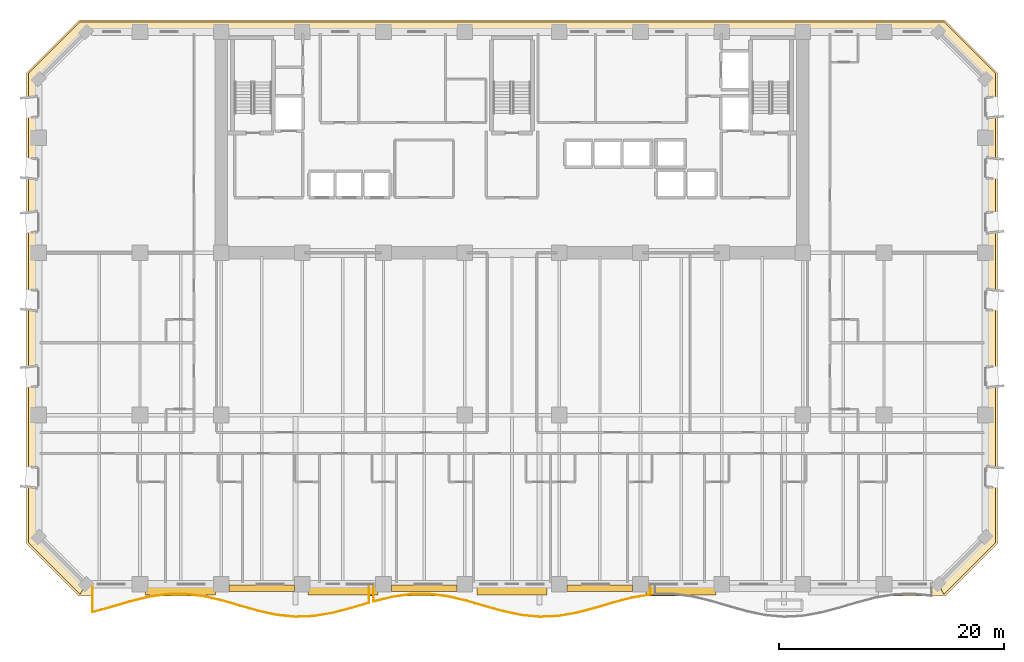
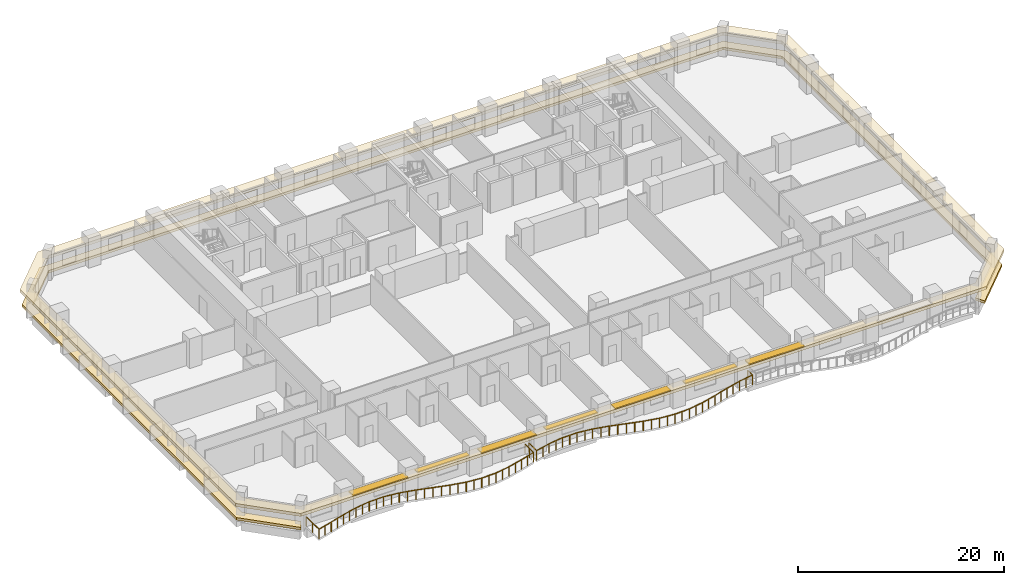
# One storey, part 12 of 15: 7 shading devices, 2 coverings, 2 railings.
"""IFC4 building model written with IfcOpenShell, lengths in metres."""

from ifc_helpers import new_model, si_unit, direction, frame, origin, origin_2d, place, context, subcontext, project, spatial, polyline, rectangle, outline, extrude, material, layer, layer_set, type_object, element, save


model = new_model("IFC4")

# Units and contexts
model_context = context("Model", 3, precision=1e-05, world=origin(), true_north=direction((0.0, 1.0)))
body_context = subcontext(model_context, "Body", "Model", "MODEL_VIEW")
ifc_project = project(units=[si_unit("LENGTHUNIT", "METRE"), si_unit("AREAUNIT", "SQUARE_METRE"), si_unit("VOLUMEUNIT", "CUBIC_METRE"), si_unit("PLANEANGLEUNIT", "RADIAN"), si_unit("MASSUNIT", "GRAM", prefix="KILO")], contexts=[model_context])

# Site, building, storey
site_placement = place(None, origin())
site = spatial("IfcSite", under=ifc_project, at=site_placement, CompositionType="ELEMENT")
building_placement = place(site_placement, origin())
building = spatial("IfcBuilding", under=site, at=building_placement, Name="Kaelvorn Grand Hotel", CompositionType="ELEMENT")
storey_placement = place(building_placement, frame((0.0, 0.0, 53.89990234375)))
storey = spatial("IfcBuildingStorey", under=building, at=storey_placement, Name="L11", CompositionType="ELEMENT", Elevation=53.89990234375)

# Coverings
ifc_material_1 = material(Name="Precast concrete C45/55", Category="concrete")
ifc_layer_1 = layer(ifc_material_1, 0.260009765625)
ifc_layer_set_1 = layer_set([ifc_layer_1], Name="Precast concrete C45/55")
covering_type_1 = type_object("IfcCoveringType", Name="COV-BAND-STREAMLINE-HEAD", PredefinedType="CLADDING", material=ifc_layer_set_1)
covering_1_placement = place(storey_placement, frame((0.0, 0.0, 2.18017578125)))
element("IfcCovering", 1, at=covering_1_placement, inside=storey, type_object=covering_type_1, Name="L11 Streamline Moderne Wraparound Horizontal Eyebrow Band", PredefinedType="CLADDING", context=body_context, shape_type="SweptSolid", body=[
    extrude(outline(polyline([(3.590087890625, -1.050048828125), (80.409912109375, -1.050048828125), (85.050048828125, 3.590087890625), (85.050048828125, 45.409912109375), (80.409912109375, 50.050048828125), (3.590087890625, 50.050048828125), (-1.050048828125, 45.409912109375), (-1.050048828125, 3.590087890625), (3.590087890625, -1.050048828125)]), holes=[polyline([(4.219970703125, 0.030029296875), (79.780029296875, 0.030029296875), (83.969970703125, 4.219970703125), (83.969970703125, 44.780029296875), (79.780029296875, 48.969970703125), (4.219970703125, 48.969970703125), (0.030029296875, 44.780029296875), (0.030029296875, 4.219970703125), (4.219970703125, 0.030029296875)])]), origin(), (0.0, 0.0, 1.0), 0.35986328125),
])
ifc_layer_2 = layer(ifc_material_1, 0.219970703125)
ifc_layer_set_2 = layer_set([ifc_layer_2], Name="Precast concrete C45/55")
covering_type_2 = type_object("IfcCoveringType", Name="COV-BAND-STREAMLINE-SILL", PredefinedType="CLADDING", material=ifc_layer_set_2)
covering_2_placement = place(storey_placement, frame((0.0, 0.0, 0.4501953125)))
element("IfcCovering", 2, at=covering_2_placement, inside=storey, type_object=covering_type_2, Name="L11 Streamline Moderne Wraparound Horizontal Sill Spandrel Band", PredefinedType="CLADDING", context=body_context, shape_type="SweptSolid", body=[
    extrude(outline(polyline([(80.3154296875, -0.8798828125), (84.8798828125, 3.6845703125), (84.8798828125, 45.3154296875), (80.3154296875, 49.8798828125), (3.6845703125, 49.8798828125), (-0.8798828125, 45.3154296875), (-0.8798828125, 3.6845703125), (3.6845703125, -0.8798828125), (4.217529296875, 0.030029296875), (0.030029296875, 4.217529296875), (0.030029296875, 44.782470703125), (4.217529296875, 48.969970703125), (79.782470703125, 48.969970703125), (83.969970703125, 44.782470703125), (83.969970703125, 4.217529296875), (79.782470703125, 0.030029296875), (80.3154296875, -0.8798828125)])), origin(), (0.0, 0.0, 1.0), 0.2998046875),
])

# Railings
ifc_material_2 = material(Name="Stainless Steel", Category="steel")
railing_type = type_object("IfcRailingType", Name="RL-BALC-1150", PredefinedType="BALUSTRADE", material=ifc_material_2)
railing_1_placement = place(storey_placement, frame((4.800048828125, 0.0, 0.0)))
element("IfcRailing", 3, at=railing_1_placement, inside=storey, type_object=railing_type, Name="L11 Scalloped Wave Balcony Balustrade GR1-1", PredefinedType="BALUSTRADE", context=body_context, shape_type="SweptSolid", body=[
    extrude(rectangle(XDim=0.048095703125, YDim=0.048095703125, at=origin_2d()), frame((0.0, 0.0, 1.1259765625), z_axis=(0.0, -1.0, 0.0), x_axis=(1.0, 0.0, 0.0)), (0.0, 0.0, 1.0), 2.4775390625),
    extrude(rectangle(XDim=0.048095703125, YDim=0.048095703125, at=origin_2d()), frame((0.0, -2.4775390625, 1.1259765625), z_axis=(0.964654076127, 0.263519474446, 0.0), x_axis=(-0.263519474446, 0.964654076127, 0.0)), (0.0, 0.0, 1.0), 1.6953125),
    extrude(rectangle(XDim=0.048095703125, YDim=0.048095703125, at=origin_2d()), frame((1.635498046875, -2.03076171875, 1.1259765625), z_axis=(0.959338132824, 0.282259361068, 0.0), x_axis=(-0.282259361068, 0.959338132824, 0.0)), (0.0, 0.0, 1.0), 1.704833984375),
    extrude(rectangle(XDim=0.048095703125, YDim=0.048095703125, at=origin_2d()), frame((3.27099609375, -1.549560546875, 1.1259765625), z_axis=(0.970108421797, 0.242671897751, 0.0), x_axis=(-0.242671897751, 0.970108421797, 0.0)), (0.0, 0.0, 1.0), 1.68603515625),
    extrude(rectangle(XDim=0.048095703125, YDim=0.048095703125, at=origin_2d()), frame((4.90673828125, -1.140380859375, 1.1259765625), z_axis=(0.988889745087, 0.148650839424, 0.0), x_axis=(-0.148650839424, 0.988889745087, 0.0)), (0.0, 0.0, 1.0), 1.65380859375),
    extrude(rectangle(XDim=0.048095703125, YDim=0.048095703125, at=origin_2d()), frame((6.542236328125, -0.89453125, 1.1259765625), z_axis=(0.999852684056, 0.01716421237, 0.0), x_axis=(-0.01716421237, 0.999852684056, 0.0)), (0.0, 0.0, 1.0), 1.6357421875),
    extrude(rectangle(XDim=0.048095703125, YDim=0.048095703125, at=origin_2d()), frame((8.177734375, -0.866455078125, 1.1259765625), z_axis=(0.992892259483, -0.119016641941, 0.0), x_axis=(0.119016641941, 0.992892259483, 0.0)), (0.0, 0.0, 1.0), 1.647216796875),
    extrude(rectangle(XDim=0.048095703125, YDim=0.048095703125, at=origin_2d()), frame((9.813232421875, -1.0625, 1.1259765625), z_axis=(0.974547877033, -0.22417947134, 0.0), x_axis=(0.22417947134, 0.974547877033, 0.0)), (0.0, 0.0, 1.0), 1.67822265625),
    extrude(rectangle(XDim=0.048095703125, YDim=0.048095703125, at=origin_2d()), frame((11.44873046875, -1.438720703125, 1.1259765625), z_axis=(0.960582401259, -0.277995414335, 0.0), x_axis=(0.277995414335, 0.960582401259, 0.0)), (0.0, 0.0, 1.0), 1.702880859375),
    extrude(rectangle(XDim=0.048095703125, YDim=0.048095703125, at=origin_2d()), frame((13.08447265625, -1.912109375, 1.1259765625), z_axis=(0.96186455439, -0.273526194374, 0.0), x_axis=(0.273526194374, 0.96186455439, 0.0)), (0.0, 0.0, 1.0), 1.700439453125),
    extrude(rectangle(XDim=0.048095703125, YDim=0.048095703125, at=origin_2d()), frame((14.719970703125, -2.377197265625, 1.1259765625), z_axis=(0.977427196396, -0.211272515358, 0.0), x_axis=(0.211272515358, 0.977427196396, 0.0)), (0.0, 0.0, 1.0), 1.67333984375),
    extrude(rectangle(XDim=0.048095703125, YDim=0.048095703125, at=origin_2d()), frame((16.35546875, -2.730712890625, 1.1259765625), z_axis=(0.995050417391, -0.099371358297, 0.0), x_axis=(0.099371358297, 0.995050417391, 0.0)), (0.0, 0.0, 1.0), 1.6435546875),
    extrude(rectangle(XDim=0.048095703125, YDim=0.048095703125, at=origin_2d()), frame((17.990966796875, -2.89404296875, 1.1259765625), z_axis=(0.999265134738, 0.03833002084, 0.0), x_axis=(-0.03833002084, 0.999265134738, 0.0)), (0.0, 0.0, 1.0), 1.636962890625),
    extrude(rectangle(XDim=0.048095703125, YDim=0.048095703125, at=origin_2d()), frame((19.626708984375, -2.831298828125, 1.1259765625), z_axis=(0.986118033534, 0.166045848907, 0.0), x_axis=(-0.166045848907, 0.986118033534, 0.0)), (0.0, 0.0, 1.0), 1.658447265625),
    extrude(rectangle(XDim=0.048095703125, YDim=0.048095703125, at=origin_2d()), frame((21.26220703125, -2.555908203125, 1.1259765625), z_axis=(0.96763721046, 0.252345455542, 0.0), x_axis=(-0.252345455542, 0.96763721046, 0.0)), (0.0, 0.0, 1.0), 1.690185546875),
    extrude(rectangle(XDim=0.048095703125, YDim=0.048095703125, at=origin_2d()), frame((22.897705078125, -2.12939453125, 1.1259765625), z_axis=(0.959027432838, 0.2833132243, 0.0), x_axis=(-0.2833132243, 0.959027432838, 0.0)), (0.0, 0.0, 1.0), 1.705322265625),
    extrude(rectangle(XDim=0.048095703125, YDim=0.048095703125, at=origin_2d()), frame((24.533203125, -1.646240234375, 1.1259765625), z_axis=(0.0, 1.0, 0.0), x_axis=(-1.0, 0.0, 0.0)), (0.0, 0.0, 1.0), 1.646240234375),
    extrude(rectangle(XDim=0.0419921875, YDim=0.0419921875, at=origin_2d()), origin(), (0.0, 0.0, 1.0), 1.101806640625),
    extrude(rectangle(XDim=0.0419921875, YDim=0.0419921875, at=origin_2d()), frame((0.0, -1.23876953125, 0.0)), (0.0, 0.0, 1.0), 1.101806640625),
    extrude(rectangle(XDim=0.0419921875, YDim=0.0419921875, at=origin_2d()), frame((0.0, -2.4775390625, 0.0)), (0.0, 0.0, 1.0), 1.101806640625),
    extrude(rectangle(XDim=0.0419921875, YDim=0.0419921875, at=origin_2d()), frame((0.81787109375, -2.254150390625, 0.0)), (0.0, 0.0, 1.0), 1.101806640625),
    extrude(rectangle(XDim=0.0419921875, YDim=0.0419921875, at=origin_2d()), frame((1.635498046875, -2.03076171875, 0.0)), (0.0, 0.0, 1.0), 1.101806640625),
    extrude(rectangle(XDim=0.0419921875, YDim=0.0419921875, at=origin_2d()), frame((2.453125, -1.7900390625, 0.0)), (0.0, 0.0, 1.0), 1.101806640625),
    extrude(rectangle(XDim=0.0419921875, YDim=0.0419921875, at=origin_2d()), frame((3.27099609375, -1.549560546875, 0.0)), (0.0, 0.0, 1.0), 1.101806640625),
    extrude(rectangle(XDim=0.0419921875, YDim=0.0419921875, at=origin_2d()), frame((4.0888671875, -1.344970703125, 0.0)), (0.0, 0.0, 1.0), 1.101806640625),
    extrude(rectangle(XDim=0.0419921875, YDim=0.0419921875, at=origin_2d()), frame((4.90673828125, -1.140380859375, 0.0)), (0.0, 0.0, 1.0), 1.101806640625),
    extrude(rectangle(XDim=0.0419921875, YDim=0.0419921875, at=origin_2d()), frame((5.724609375, -1.017578125, 0.0)), (0.0, 0.0, 1.0), 1.101806640625),
    extrude(rectangle(XDim=0.0419921875, YDim=0.0419921875, at=origin_2d()), frame((6.542236328125, -0.89453125, 0.0)), (0.0, 0.0, 1.0), 1.101806640625),
    extrude(rectangle(XDim=0.0419921875, YDim=0.0419921875, at=origin_2d()), frame((7.35986328125, -0.88037109375, 0.0)), (0.0, 0.0, 1.0), 1.101806640625),
    extrude(rectangle(XDim=0.0419921875, YDim=0.0419921875, at=origin_2d()), frame((8.177734375, -0.866455078125, 0.0)), (0.0, 0.0, 1.0), 1.101806640625),
    extrude(rectangle(XDim=0.0419921875, YDim=0.0419921875, at=origin_2d()), frame((8.99560546875, -0.96435546875, 0.0)), (0.0, 0.0, 1.0), 1.101806640625),
    extrude(rectangle(XDim=0.0419921875, YDim=0.0419921875, at=origin_2d()), frame((9.813232421875, -1.0625, 0.0)), (0.0, 0.0, 1.0), 1.101806640625),
    extrude(rectangle(XDim=0.0419921875, YDim=0.0419921875, at=origin_2d()), frame((10.630859375, -1.25048828125, 0.0)), (0.0, 0.0, 1.0), 1.101806640625),
    extrude(rectangle(XDim=0.0419921875, YDim=0.0419921875, at=origin_2d()), frame((11.44873046875, -1.438720703125, 0.0)), (0.0, 0.0, 1.0), 1.101806640625),
    extrude(rectangle(XDim=0.0419921875, YDim=0.0419921875, at=origin_2d()), frame((12.2666015625, -1.67529296875, 0.0)), (0.0, 0.0, 1.0), 1.101806640625),
    extrude(rectangle(XDim=0.0419921875, YDim=0.0419921875, at=origin_2d()), frame((13.08447265625, -1.912109375, 0.0)), (0.0, 0.0, 1.0), 1.101806640625),
    extrude(rectangle(XDim=0.0419921875, YDim=0.0419921875, at=origin_2d()), frame((13.90234375, -2.14453125, 0.0)), (0.0, 0.0, 1.0), 1.101806640625),
    extrude(rectangle(XDim=0.0419921875, YDim=0.0419921875, at=origin_2d()), frame((14.719970703125, -2.377197265625, 0.0)), (0.0, 0.0, 1.0), 1.101806640625),
    extrude(rectangle(XDim=0.0419921875, YDim=0.0419921875, at=origin_2d()), frame((15.53759765625, -2.553955078125, 0.0)), (0.0, 0.0, 1.0), 1.101806640625),
    extrude(rectangle(XDim=0.0419921875, YDim=0.0419921875, at=origin_2d()), frame((16.35546875, -2.730712890625, 0.0)), (0.0, 0.0, 1.0), 1.101806640625),
    extrude(rectangle(XDim=0.0419921875, YDim=0.0419921875, at=origin_2d()), frame((17.17333984375, -2.8125, 0.0)), (0.0, 0.0, 1.0), 1.101806640625),
    extrude(rectangle(XDim=0.0419921875, YDim=0.0419921875, at=origin_2d()), frame((17.990966796875, -2.89404296875, 0.0)), (0.0, 0.0, 1.0), 1.101806640625),
    extrude(rectangle(XDim=0.0419921875, YDim=0.0419921875, at=origin_2d()), frame((18.808837890625, -2.86279296875, 0.0)), (0.0, 0.0, 1.0), 1.101806640625),
    extrude(rectangle(XDim=0.0419921875, YDim=0.0419921875, at=origin_2d()), frame((19.626708984375, -2.831298828125, 0.0)), (0.0, 0.0, 1.0), 1.101806640625),
    extrude(rectangle(XDim=0.0419921875, YDim=0.0419921875, at=origin_2d()), frame((20.4443359375, -2.693603515625, 0.0)), (0.0, 0.0, 1.0), 1.101806640625),
    extrude(rectangle(XDim=0.0419921875, YDim=0.0419921875, at=origin_2d()), frame((21.26220703125, -2.555908203125, 0.0)), (0.0, 0.0, 1.0), 1.101806640625),
    extrude(rectangle(XDim=0.0419921875, YDim=0.0419921875, at=origin_2d()), frame((22.080078125, -2.3427734375, 0.0)), (0.0, 0.0, 1.0), 1.101806640625),
    extrude(rectangle(XDim=0.0419921875, YDim=0.0419921875, at=origin_2d()), frame((22.897705078125, -2.12939453125, 0.0)), (0.0, 0.0, 1.0), 1.101806640625),
    extrude(rectangle(XDim=0.0419921875, YDim=0.0419921875, at=origin_2d()), frame((23.71533203125, -1.8876953125, 0.0)), (0.0, 0.0, 1.0), 1.101806640625),
    extrude(rectangle(XDim=0.0419921875, YDim=0.0419921875, at=origin_2d()), frame((24.533203125, -1.646240234375, 0.0)), (0.0, 0.0, 1.0), 1.101806640625),
    extrude(rectangle(XDim=0.0419921875, YDim=0.0419921875, at=origin_2d()), frame((24.533203125, -0.8232421875, 0.0)), (0.0, 0.0, 1.0), 1.101806640625),
    extrude(rectangle(XDim=0.0419921875, YDim=0.0419921875, at=origin_2d()), frame((24.533203125, 0.0, 0.0)), (0.0, 0.0, 1.0), 1.101806640625),
])
railing_2_placement = place(storey_placement, frame((29.7333984375, 0.0, 0.0)))
element("IfcRailing", 4, at=railing_2_placement, inside=storey, type_object=railing_type, Name="L11 Scalloped Wave Balcony Balustrade GR1-2", PredefinedType="BALUSTRADE", context=body_context, shape_type="SweptSolid", body=[
    extrude(rectangle(XDim=0.048095703125, YDim=0.048095703125, at=origin_2d()), frame((0.0, 0.0, 1.1259765625), z_axis=(0.0, -1.0, 0.0), x_axis=(1.0, 0.0, 0.0)), (0.0, 0.0, 1.0), 1.531982421875),
    extrude(rectangle(XDim=0.048095703125, YDim=0.048095703125, at=origin_2d()), frame((0.0, -1.531982421875, 1.1259765625), z_axis=(0.970778455787, 0.239977477651, 0.0), x_axis=(-0.239977477651, 0.970778455787, 0.0)), (0.0, 0.0, 1.0), 1.684814453125),
    extrude(rectangle(XDim=0.048095703125, YDim=0.048095703125, at=origin_2d()), frame((1.635498046875, -1.127685546875, 1.1259765625), z_axis=(0.989552746823, 0.144171291372, 0.0), x_axis=(-0.144171291372, 0.989552746823, 0.0)), (0.0, 0.0, 1.0), 1.65283203125),
    extrude(rectangle(XDim=0.048095703125, YDim=0.048095703125, at=origin_2d()), frame((3.27099609375, -0.889404296875, 1.1259765625), z_axis=(0.999928700978, 0.011941229449, 0.0), x_axis=(-0.011941229449, 0.999928700978, 0.0)), (0.0, 0.0, 1.0), 1.635498046875),
    extrude(rectangle(XDim=0.048095703125, YDim=0.048095703125, at=origin_2d()), frame((4.906494140625, -0.869873046875, 1.1259765625), z_axis=(0.992305195112, -0.12381599151, 0.0), x_axis=(0.12381599151, 0.992305195112, 0.0)), (0.0, 0.0, 1.0), 1.6484375),
    extrude(rectangle(XDim=0.048095703125, YDim=0.048095703125, at=origin_2d()), frame((6.542236328125, -1.073974609375, 1.1259765625), z_axis=(0.973844426508, -0.227215829024, 0.0), x_axis=(0.227215829024, 0.973844426508, 0.0)), (0.0, 0.0, 1.0), 1.679443359375),
    extrude(rectangle(XDim=0.048095703125, YDim=0.048095703125, at=origin_2d()), frame((8.177734375, -1.45556640625, 1.1259765625), z_axis=(0.960302879925, -0.278959457282, 0.0), x_axis=(0.278959457282, 0.960302879925, 0.0)), (0.0, 0.0, 1.0), 1.703125),
    extrude(rectangle(XDim=0.048095703125, YDim=0.048095703125, at=origin_2d()), frame((9.813232421875, -1.9306640625, 1.1259765625), z_axis=(0.962241545122, -0.272197003733, 0.0), x_axis=(0.272197003733, 0.962241545122, 0.0)), (0.0, 0.0, 1.0), 1.69970703125),
    extrude(rectangle(XDim=0.048095703125, YDim=0.048095703125, at=origin_2d()), frame((11.44873046875, -2.393310546875, 1.1259765625), z_axis=(0.978181108295, -0.207753987627, 0.0), x_axis=(0.207753987627, 0.978181108295, 0.0)), (0.0, 0.0, 1.0), 1.672119140625),
    extrude(rectangle(XDim=0.048095703125, YDim=0.048095703125, at=origin_2d()), frame((13.08447265625, -2.74072265625, 1.1259765625), z_axis=(0.995523480824, -0.09451454453, 0.0), x_axis=(0.09451454453, 0.995523480824, 0.0)), (0.0, 0.0, 1.0), 1.642822265625),
    extrude(rectangle(XDim=0.048095703125, YDim=0.048095703125, at=origin_2d()), frame((14.719970703125, -2.89599609375, 1.1259765625), z_axis=(0.999044869462, 0.043696095948, 0.0), x_axis=(-0.043696095948, 0.999044869462, 0.0)), (0.0, 0.0, 1.0), 1.636962890625),
    extrude(rectangle(XDim=0.048095703125, YDim=0.048095703125, at=origin_2d()), frame((16.35546875, -2.824462890625, 1.1259765625), z_axis=(0.985410815118, 0.170192612792, 0.0), x_axis=(-0.170192612792, 0.985410815118, 0.0)), (0.0, 0.0, 1.0), 1.65966796875),
    extrude(rectangle(XDim=0.048095703125, YDim=0.048095703125, at=origin_2d()), frame((17.990966796875, -2.5419921875, 1.1259765625), z_axis=(0.967044616589, 0.254606970696, 0.0), x_axis=(-0.254606970696, 0.967044616589, 0.0)), (0.0, 0.0, 1.0), 1.69140625),
    extrude(rectangle(XDim=0.048095703125, YDim=0.048095703125, at=origin_2d()), frame((19.626708984375, -2.111328125, 1.1259765625), z_axis=(0.959066322629, 0.283181547419, 0.0), x_axis=(-0.283181547419, 0.959066322629, 0.0)), (0.0, 0.0, 1.0), 1.705322265625),
    extrude(rectangle(XDim=0.048095703125, YDim=0.048095703125, at=origin_2d()), frame((21.26220703125, -1.62841796875, 1.1259765625), z_axis=(0.967354524972, 0.253426957953, 0.0), x_axis=(-0.253426957953, 0.967354524972, 0.0)), (0.0, 0.0, 1.0), 1.690673828125),
    extrude(rectangle(XDim=0.048095703125, YDim=0.048095703125, at=origin_2d()), frame((22.897705078125, -1.199951171875, 1.1259765625), z_axis=(0.985827384416, 0.167762832995, 0.0), x_axis=(-0.167762832995, 0.985827384416, 0.0)), (0.0, 0.0, 1.0), 1.658935546875),
    extrude(rectangle(XDim=0.048095703125, YDim=0.048095703125, at=origin_2d()), frame((24.533203125, -0.921630859375, 1.1259765625), z_axis=(0.0, 1.0, 0.0), x_axis=(-1.0, 0.0, 0.0)), (0.0, 0.0, 1.0), 0.921630859375),
    extrude(rectangle(XDim=0.0419921875, YDim=0.0419921875, at=origin_2d()), origin(), (0.0, 0.0, 1.0), 1.101806640625),
    extrude(rectangle(XDim=0.0419921875, YDim=0.0419921875, at=origin_2d()), frame((0.0, -1.531982421875, 0.0)), (0.0, 0.0, 1.0), 1.101806640625),
    extrude(rectangle(XDim=0.0419921875, YDim=0.0419921875, at=origin_2d()), frame((0.81787109375, -1.329833984375, 0.0)), (0.0, 0.0, 1.0), 1.101806640625),
    extrude(rectangle(XDim=0.0419921875, YDim=0.0419921875, at=origin_2d()), frame((1.635498046875, -1.127685546875, 0.0)), (0.0, 0.0, 1.0), 1.101806640625),
    extrude(rectangle(XDim=0.0419921875, YDim=0.0419921875, at=origin_2d()), frame((2.453125, -1.008544921875, 0.0)), (0.0, 0.0, 1.0), 1.101806640625),
    extrude(rectangle(XDim=0.0419921875, YDim=0.0419921875, at=origin_2d()), frame((3.27099609375, -0.889404296875, 0.0)), (0.0, 0.0, 1.0), 1.101806640625),
    extrude(rectangle(XDim=0.0419921875, YDim=0.0419921875, at=origin_2d()), frame((4.0888671875, -0.879638671875, 0.0)), (0.0, 0.0, 1.0), 1.101806640625),
    extrude(rectangle(XDim=0.0419921875, YDim=0.0419921875, at=origin_2d()), frame((4.906494140625, -0.869873046875, 0.0)), (0.0, 0.0, 1.0), 1.101806640625),
    extrude(rectangle(XDim=0.0419921875, YDim=0.0419921875, at=origin_2d()), frame((5.724365234375, -0.971923828125, 0.0)), (0.0, 0.0, 1.0), 1.101806640625),
    extrude(rectangle(XDim=0.0419921875, YDim=0.0419921875, at=origin_2d()), frame((6.542236328125, -1.073974609375, 0.0)), (0.0, 0.0, 1.0), 1.101806640625),
    extrude(rectangle(XDim=0.0419921875, YDim=0.0419921875, at=origin_2d()), frame((7.35986328125, -1.2646484375, 0.0)), (0.0, 0.0, 1.0), 1.101806640625),
    extrude(rectangle(XDim=0.0419921875, YDim=0.0419921875, at=origin_2d()), frame((8.177734375, -1.45556640625, 0.0)), (0.0, 0.0, 1.0), 1.101806640625),
    extrude(rectangle(XDim=0.0419921875, YDim=0.0419921875, at=origin_2d()), frame((8.99560546875, -1.693115234375, 0.0)), (0.0, 0.0, 1.0), 1.101806640625),
    extrude(rectangle(XDim=0.0419921875, YDim=0.0419921875, at=origin_2d()), frame((9.813232421875, -1.9306640625, 0.0)), (0.0, 0.0, 1.0), 1.101806640625),
    extrude(rectangle(XDim=0.0419921875, YDim=0.0419921875, at=origin_2d()), frame((10.630859375, -2.162109375, 0.0)), (0.0, 0.0, 1.0), 1.101806640625),
    extrude(rectangle(XDim=0.0419921875, YDim=0.0419921875, at=origin_2d()), frame((11.44873046875, -2.393310546875, 0.0)), (0.0, 0.0, 1.0), 1.101806640625),
    extrude(rectangle(XDim=0.0419921875, YDim=0.0419921875, at=origin_2d()), frame((12.2666015625, -2.56689453125, 0.0)), (0.0, 0.0, 1.0), 1.101806640625),
    extrude(rectangle(XDim=0.0419921875, YDim=0.0419921875, at=origin_2d()), frame((13.08447265625, -2.74072265625, 0.0)), (0.0, 0.0, 1.0), 1.101806640625),
    extrude(rectangle(XDim=0.0419921875, YDim=0.0419921875, at=origin_2d()), frame((13.90234375, -2.818359375, 0.0)), (0.0, 0.0, 1.0), 1.101806640625),
    extrude(rectangle(XDim=0.0419921875, YDim=0.0419921875, at=origin_2d()), frame((14.719970703125, -2.89599609375, 0.0)), (0.0, 0.0, 1.0), 1.101806640625),
    extrude(rectangle(XDim=0.0419921875, YDim=0.0419921875, at=origin_2d()), frame((15.53759765625, -2.8603515625, 0.0)), (0.0, 0.0, 1.0), 1.101806640625),
    extrude(rectangle(XDim=0.0419921875, YDim=0.0419921875, at=origin_2d()), frame((16.35546875, -2.824462890625, 0.0)), (0.0, 0.0, 1.0), 1.101806640625),
    extrude(rectangle(XDim=0.0419921875, YDim=0.0419921875, at=origin_2d()), frame((17.17333984375, -2.68310546875, 0.0)), (0.0, 0.0, 1.0), 1.101806640625),
    extrude(rectangle(XDim=0.0419921875, YDim=0.0419921875, at=origin_2d()), frame((17.990966796875, -2.5419921875, 0.0)), (0.0, 0.0, 1.0), 1.101806640625),
    extrude(rectangle(XDim=0.0419921875, YDim=0.0419921875, at=origin_2d()), frame((18.808837890625, -2.32666015625, 0.0)), (0.0, 0.0, 1.0), 1.101806640625),
    extrude(rectangle(XDim=0.0419921875, YDim=0.0419921875, at=origin_2d()), frame((19.626708984375, -2.111328125, 0.0)), (0.0, 0.0, 1.0), 1.101806640625),
    extrude(rectangle(XDim=0.0419921875, YDim=0.0419921875, at=origin_2d()), frame((20.4443359375, -1.869873046875, 0.0)), (0.0, 0.0, 1.0), 1.101806640625),
    extrude(rectangle(XDim=0.0419921875, YDim=0.0419921875, at=origin_2d()), frame((21.26220703125, -1.62841796875, 0.0)), (0.0, 0.0, 1.0), 1.101806640625),
    extrude(rectangle(XDim=0.0419921875, YDim=0.0419921875, at=origin_2d()), frame((22.080078125, -1.4140625, 0.0)), (0.0, 0.0, 1.0), 1.101806640625),
    extrude(rectangle(XDim=0.0419921875, YDim=0.0419921875, at=origin_2d()), frame((22.897705078125, -1.199951171875, 0.0)), (0.0, 0.0, 1.0), 1.101806640625),
    extrude(rectangle(XDim=0.0419921875, YDim=0.0419921875, at=origin_2d()), frame((23.71533203125, -1.060791015625, 0.0)), (0.0, 0.0, 1.0), 1.101806640625),
    extrude(rectangle(XDim=0.0419921875, YDim=0.0419921875, at=origin_2d()), frame((24.533203125, -0.921630859375, 0.0)), (0.0, 0.0, 1.0), 1.101806640625),
    extrude(rectangle(XDim=0.0419921875, YDim=0.0419921875, at=origin_2d()), frame((24.533203125, 0.0, 0.0)), (0.0, 0.0, 1.0), 1.101806640625),
])

# Shading devices
ifc_layer_3 = layer(ifc_material_1, 0.1201171875)
ifc_layer_set_3 = layer_set([ifc_layer_3], Name="Precast concrete C45/55")
shading_device_type_1 = type_object("IfcShadingDeviceType", Name="SHD-SUNSHADE-550", PredefinedType="USERDEFINED", material=ifc_layer_set_3)
for number, where, z_axis, x_axis, name in (
    (5, (19.800048828125, -0.364990234375, 2.419921875), (0.0, 0.0, 1.0), (1.0, 0.0, 0.0), "L11 Horizontal Concrete Sunshade Band SS-03"),
    (6, (34.199951171875, -0.364990234375, 2.419921875), (0.0, 0.0, 1.0), (1.0, 0.0, 0.0), "L11 Horizontal Concrete Sunshade Band SS-05"),
    (7, (49.800048828125, -0.364990234375, 2.419921875), (0.0, 0.0, 1.0), (1.0, 0.0, 0.0), "L11 Horizontal Concrete Sunshade Band SS-07"),
):
    element("IfcShadingDevice", number, at=place(storey_placement, frame(where, z_axis=z_axis, x_axis=x_axis)), inside=storey, type_object=shading_device_type_1, Name=name, ObjectType="SUNSHADE", PredefinedType="USERDEFINED", context=body_context, shape_type="SweptSolid", body=[
        extrude(rectangle(XDim=5.800048828125, YDim=0.550048828125, at=origin_2d()), origin(), (0.0, 0.0, 1.0), 0.1201171875),
    ])
ifc_layer_4 = layer(ifc_material_1, 0.139892578125)
ifc_layer_set_4 = layer_set([ifc_layer_4], Name="Precast concrete C45/55")
shading_device_type_2 = type_object("IfcShadingDeviceType", Name="SHD-SUNSHADE-850", PredefinedType="USERDEFINED", material=ifc_layer_set_4)
for number, where, z_axis, x_axis, name in (
    (8, (12.60009765625, -0.514892578125, 2.41015625), (0.0, 0.0, 1.0), (1.0, 0.0, 0.0), "L11 Horizontal Concrete Sunshade Band SS-02"),
    (9, (27.0, -0.514892578125, 2.41015625), (0.0, 0.0, 1.0), (1.0, 0.0, 0.0), "L11 Horizontal Concrete Sunshade Band SS-04"),
    (10, (42.0, -0.514892578125, 2.41015625), (0.0, 0.0, 1.0), (1.0, 0.0, 0.0), "L11 Horizontal Concrete Sunshade Band SS-06"),
    (11, (57.0, -0.514892578125, 2.41015625), (0.0, 0.0, 1.0), (1.0, 0.0, 0.0), "L11 Horizontal Concrete Sunshade Band SS-08"),
):
    element("IfcShadingDevice", number, at=place(storey_placement, frame(where, z_axis=z_axis, x_axis=x_axis)), inside=storey, type_object=shading_device_type_2, Name=name, ObjectType="SUNSHADE", PredefinedType="USERDEFINED", context=body_context, shape_type="SweptSolid", body=[
        extrude(rectangle(XDim=6.199951171875, YDim=0.85009765625, at=origin_2d()), origin(), (0.0, 0.0, 1.0), 0.139892578125),
    ])

save(model, "model.ifc")
